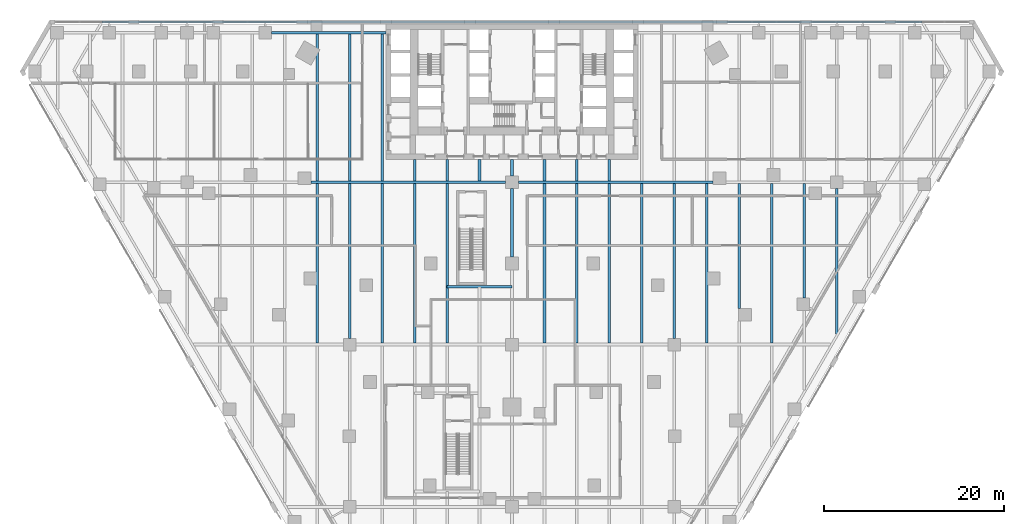
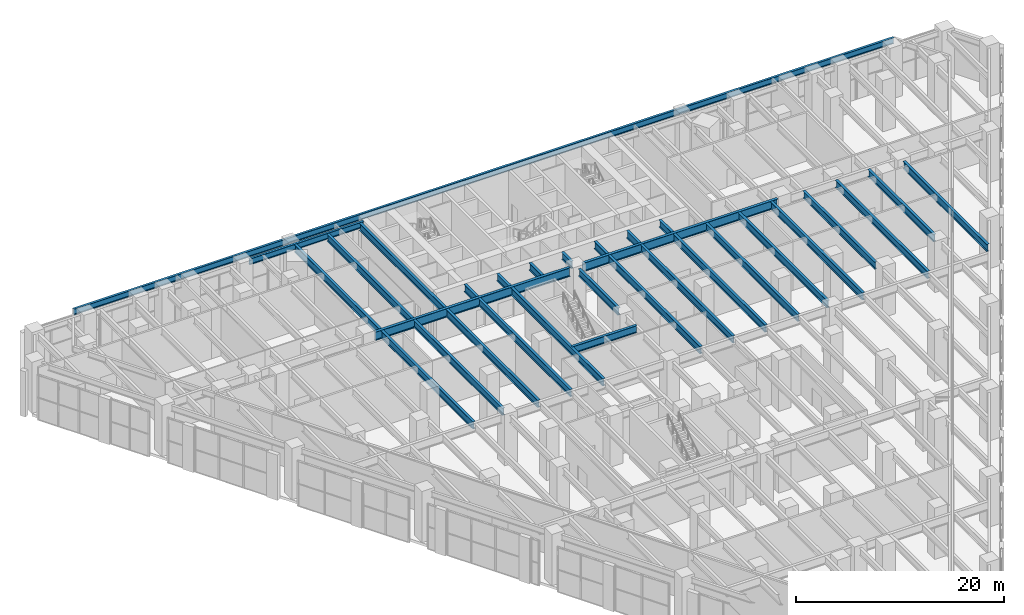
# One storey, part 17 of 37: 31 beams.
"""IFC4 building model written with IfcOpenShell, lengths in metres."""

import ifcopenshell
import ifcopenshell.guid

model = None  # the IFC model being written
_history = None  # IfcOwnerHistory: only IFC2X3 demands one
_inside = {}  # id of a spatial element -> (the spatial element, [elements in it])
_under = {}  # id of a project, library or spatial element -> (it, [spatial elements below it])
_declared = {}  # id of a project -> (the project, [libraries it declares])
_typed = {}  # id of a type object -> (the type object, [elements of that type])
_made_of = {}  # id of a material, layer set ... -> (it, [elements and type objects made of it])


def new_model(schema):
    """Start an empty IFC model of exactly this schema.

    Asked for "IFC4X3", IfcOpenShell would pick the latest addendum, in which some entities
    have other attributes; the version numbers below select the first issue.
    IFC2X3 requires an IfcOwnerHistory on every rooted entity: one is made here for all.
    """
    global model, _history
    if schema == "IFC4X3":
        model = ifcopenshell.file(schema_version=(4, 3, 0, 0))
    else:
        model = ifcopenshell.file(schema=schema)
    _inside.clear()
    _under.clear()
    _declared.clear()
    _typed.clear()
    _made_of.clear()
    _history = None
    if model.schema == "IFC2X3":
        org = make("IfcOrganization", Name="unknown")
        user = make(
            "IfcPersonAndOrganization",
            ThePerson=make("IfcPerson", FamilyName="unknown"),
            TheOrganization=org,
        )
        app = make(
            "IfcApplication",
            ApplicationDeveloper=org,
            Version="unknown",
            ApplicationFullName="unknown",
            ApplicationIdentifier="unknown",
        )
        _history = make(
            "IfcOwnerHistory",
            OwningUser=user,
            OwningApplication=app,
            ChangeAction="ADDED",
            CreationDate=0,
        )
    return model


def make(cls, **values):
    """One entity of the class cls with the attributes given. An attribute that is None is left unset."""
    return model.create_entity(
        cls, **{name: value for name, value in values.items() if value is not None}
    )


def rooted(cls, **values):
    """An entity with a GlobalId (a new one), such as an element, a storey or a relation."""
    return make(cls, GlobalId=ifcopenshell.guid.new(), OwnerHistory=_history, **values)


def si_unit(unit_type, name, prefix=None):
    """IfcSIUnit, for example si_unit("LENGTHUNIT", "METRE", prefix="MILLI")."""
    return make("IfcSIUnit", UnitType=unit_type, Prefix=prefix, Name=name)


def assignment(units):
    """IfcUnitAssignment: the units of a project."""
    return None if units is None else make("IfcUnitAssignment", Units=units)


def point(xyz):
    """IfcCartesianPoint."""
    return None if xyz is None else make("IfcCartesianPoint", Coordinates=xyz)


def direction(xyz):
    """IfcDirection."""
    return None if xyz is None else make("IfcDirection", DirectionRatios=xyz)


def frame(location, z_axis=None, x_axis=None):
    """IfcAxis2Placement3D, a coordinate frame: its origin and axes. An axis left out is left unset."""
    return make(
        "IfcAxis2Placement3D",
        Location=point(location),
        Axis=direction(z_axis),
        RefDirection=direction(x_axis),
    )


def frame_2d(location, x_axis=None):
    """IfcAxis2Placement2D, a coordinate frame in the plane: its origin and x axis."""
    return make(
        "IfcAxis2Placement2D", Location=point(location), RefDirection=direction(x_axis)
    )


def origin():
    """The frame at (0, 0, 0) with its axes left unset."""
    return frame((0.0, 0.0, 0.0))


def origin_2d():
    """The frame at (0, 0) in the plane with its x axis left unset."""
    return frame_2d((0.0, 0.0))


def place(relative_to, where):
    """IfcLocalPlacement: puts the frame where relative to a parent placement (None: the world)."""
    return make(
        "IfcLocalPlacement", PlacementRelTo=relative_to, RelativePlacement=where
    )


def context(
    kind, dimensions, precision=None, world=None, true_north=None, identifier=None
):
    """IfcGeometricRepresentationContext, for example the 3D "Model" context."""
    return make(
        "IfcGeometricRepresentationContext",
        ContextIdentifier=identifier,
        ContextType=kind,
        CoordinateSpaceDimension=dimensions,
        Precision=precision,
        WorldCoordinateSystem=world,
        TrueNorth=true_north,
    )


def subcontext(parent, identifier, kind, view, scale=None):
    """IfcGeometricRepresentationSubContext, for example "Body" below "Model"."""
    return make(
        "IfcGeometricRepresentationSubContext",
        ContextIdentifier=identifier,
        ContextType=kind,
        ParentContext=parent,
        TargetScale=scale,
        TargetView=view,
    )


def project(units=None, contexts=None):
    """IfcProject with its units and contexts."""
    return rooted(
        "IfcProject",
        Name="project",
        RepresentationContexts=contexts,
        UnitsInContext=assignment(units),
    )


def spatial(cls, under=None, at=None, **own):
    """A site, building, storey or space (cls), placed at a placement, below another one or the project."""
    s = rooted(cls, ObjectPlacement=at, **own)
    if under is not None:
        _under.setdefault(under.id(), (under, []))[1].append(s)
    return s


def profile(cls, at=None, kind="AREA", **sizes):
    """A parametric profile (cls). Its sizes go by their IFC names, for example OverallWidth=200.0."""
    return make(cls, ProfileType=kind, Position=at, **sizes)


def i_section(**sizes):
    """IfcIShapeProfileDef."""
    return profile("IfcIShapeProfileDef", **sizes)


def extrude(swept, where, along, depth):
    """IfcExtrudedAreaSolid: the profile swept, set in the frame where, extruded along a direction by depth."""
    return make(
        "IfcExtrudedAreaSolid",
        SweptArea=swept,
        Position=where,
        ExtrudedDirection=direction(along),
        Depth=depth,
    )


def shape(context_of_items, identifier, shape_type, items):
    """IfcShapeRepresentation: the items that make up one representation, for example the "Body"."""
    return make(
        "IfcShapeRepresentation",
        ContextOfItems=context_of_items,
        RepresentationIdentifier=identifier,
        RepresentationType=shape_type,
        Items=items,
    )


def material(Name=None, Category=None):
    """IfcMaterial."""
    return make("IfcMaterial", Name=Name, Category=Category)


def material_profile(
    of_material, cross_section, Name=None, Category=None, Priority=None
):
    """IfcMaterialProfile: a cross section and its material."""
    return make(
        "IfcMaterialProfile",
        Name=Name,
        Material=of_material,
        Profile=cross_section,
        Priority=Priority,
        Category=Category,
    )


def profile_set(profiles, Name=None, composite=None):
    """IfcMaterialProfileSet."""
    return make(
        "IfcMaterialProfileSet",
        Name=Name,
        MaterialProfiles=profiles,
        CompositeProfile=composite,
    )


def made_of(thing, what):
    """Note that an element or type object is made of a material, layer set ...; save() writes the relation."""
    if what is not None:
        _made_of.setdefault(what.id(), (what, []))[1].append(thing)
    return thing


def type_object(cls, material=None, **own):
    """A type object (cls), such as IfcWallType, which elements share."""
    return made_of(rooted(cls, **own), material)


def element(
    cls,
    number,
    at=None,
    inside=None,
    cuts=None,
    type_object=None,
    material=None,
    context=None,
    identifier="Body",
    shape_type=None,
    held_by="IfcProductDefinitionShape",
    body=None,
    shapes=None,
    **own,
):
    """One element of the class cls, such as IfcWall. Its Tag is "e" and its number.

    at: its placement. inside: the storey or other place that contains it. cuts: it is an
    opening in that element (IfcRelVoidsElement). A single representation is given by context,
    identifier, shape_type and body (its items); several are given by shapes. held_by: the class
    of the entity that holds the representations. save() writes the other relations.
    """
    e = rooted(cls, Tag="e%d" % number, ObjectPlacement=at, **own)
    if body is not None:
        shapes = [shape(context, identifier, shape_type, body)]
    if shapes is not None:
        e.Representation = make(held_by, Representations=shapes)
    if inside is not None:
        _inside.setdefault(inside.id(), (inside, []))[1].append(e)
    if cuts is not None:
        rooted(
            "IfcRelVoidsElement", RelatingBuildingElement=cuts, RelatedOpeningElement=e
        )
    if type_object is not None:
        _typed.setdefault(type_object.id(), (type_object, []))[1].append(e)
    return made_of(e, material)


def aggregate(whole, parts):
    """IfcRelAggregates: a whole, such as a stair, and the parts it consists of."""
    return rooted("IfcRelAggregates", RelatingObject=whole, RelatedObjects=parts)


def save(model, path):
    """Write the relations noted so far, then the file.

    IfcRelAggregates (storeys below a building ...), IfcRelContainedInSpatialStructure (elements
    in a storey), IfcRelDefinesByType, IfcRelAssociatesMaterial and IfcRelDeclares: one each for
    every whole, place, type object, material and project.
    """
    for whole, parts in _under.values():
        aggregate(whole, parts)
    for where, things in _inside.values():
        rooted(
            "IfcRelContainedInSpatialStructure",
            RelatedElements=things,
            RelatingStructure=where,
        )
    for kind, things in _typed.values():
        rooted("IfcRelDefinesByType", RelatedObjects=things, RelatingType=kind)
    for what, things in _made_of.values():
        rooted("IfcRelAssociatesMaterial", RelatedObjects=things, RelatingMaterial=what)
    for by, libraries in _declared.values():
        rooted("IfcRelDeclares", RelatingContext=by, RelatedDefinitions=libraries)
    model.write(path)


model = new_model("IFC4")

# Units and contexts
model_context = context("Model", 3, precision=1e-05, world=origin(), true_north=direction((0.0, 1.0)))
body_context = subcontext(model_context, "Body", "Model", "MODEL_VIEW")
ifc_project = project(units=[si_unit("LENGTHUNIT", "METRE"), si_unit("AREAUNIT", "SQUARE_METRE"), si_unit("VOLUMEUNIT", "CUBIC_METRE"), si_unit("PLANEANGLEUNIT", "RADIAN"), si_unit("MASSUNIT", "GRAM", prefix="KILO")], contexts=[model_context])

# Site, building, storey
site_placement = place(None, origin())
site = spatial("IfcSite", under=ifc_project, at=site_placement, CompositionType="ELEMENT")
building_placement = place(site_placement, origin())
building = spatial("IfcBuilding", under=site, at=building_placement, Name="Aloe Facet Convention Tower", CompositionType="ELEMENT")
storey_placement = place(building_placement, frame((0.0, 0.0, 7.5)))
storey = spatial("IfcBuildingStorey", under=building, at=storey_placement, Name="L01", CompositionType="ELEMENT", Elevation=7.5)

# Beams
ifc_material_1 = material(Name="Steel S355", Category="steel")
ifc_material_profile_1 = material_profile(ifc_material_1, i_section(OverallWidth=0.25439453125, OverallDepth=0.6875, WebThickness=0.01318359375, FlangeThickness=0.02099609375, FilletRadius=0.01513671875, at=origin_2d()), Name="UB 686x254x152")
ifc_profile_set_1 = profile_set([ifc_material_profile_1], Name="Steel S355")
beam_type_1 = type_object("IfcBeamType", Name="EV-EB-UB686x254x152", PredefinedType="BEAM", material=ifc_profile_set_1)
beam_1_placement = place(storey_placement, frame((125.493896484375, 134.77490234375, 5.356201171875), z_axis=(-1.0, 0.0, 0.0), x_axis=(0.0, -1.0, 0.0)))
element("IfcBeam", 1, at=beam_1_placement, inside=storey, type_object=beam_type_1, Name="EB-L02-N", PredefinedType="BEAM", context=body_context, shape_type="SweptSolid", body=[
    extrude(i_section(OverallWidth=0.25439453125, OverallDepth=0.6875, WebThickness=0.01318359375, FlangeThickness=0.02099609375, FilletRadius=0.01513671875, at=origin_2d()), origin(), (0.0, 0.0, 1.0), 90.98779296875),
])
ifc_material_2 = material(Name="Steel S355", Category="steel")
ifc_material_profile_2 = material_profile(ifc_material_2, i_section(OverallWidth=0.305419921875, OverallDepth=1.02587890625, WebThickness=0.02001953125, FlangeThickness=0.031005859375, FilletRadius=0.030029296875, at=origin_2d()), Name="UB 1016x305x349")
ifc_profile_set_2 = profile_set([ifc_material_profile_2], Name="Steel S355")
beam_type_2 = type_object("IfcBeamType", Name="SF-B-UB1016x305x349", PredefinedType="BEAM", material=ifc_profile_set_2)
for number, where, z_axis, x_axis, name in (
    (2, (57.68408203125, 117.0, 5.18701171875), (1.0, 0.0, 0.0), (0.0, 1.0, 0.0), "Floor beam FB-L02-035"),
    (3, (80.699951171875, 117.0, 5.18701171875), (1.0, 0.0, 0.0), (0.0, 1.0, 0.0), "Floor beam FB-L02-044"),
):
    element("IfcBeam", number, at=place(storey_placement, frame(where, z_axis=z_axis, x_axis=x_axis)), inside=storey, type_object=beam_type_2, Name=name, PredefinedType="BEAM", context=body_context, shape_type="SweptSolid", body=[
        extrude(i_section(OverallWidth=0.305419921875, OverallDepth=1.02587890625, WebThickness=0.02001953125, FlangeThickness=0.031005859375, FilletRadius=0.030029296875, at=origin_2d()), origin(), (0.0, 0.0, 1.0), 21.615966796875),
    ])
ifc_material_3 = material(Name="Steel S355", Category="steel")
ifc_material_profile_3 = material_profile(ifc_material_3, i_section(OverallWidth=0.25439453125, OverallDepth=0.6875, WebThickness=0.01318359375, FlangeThickness=0.02099609375, FilletRadius=0.01513671875, at=origin_2d()), Name="UB 686x254x152")
ifc_profile_set_3 = profile_set([ifc_material_profile_3], Name="Steel S355")
beam_type_3 = type_object("IfcBeamType", Name="SF-B-UB686x254x152", PredefinedType="BEAM", material=ifc_profile_set_3)
beam_2_placement = place(storey_placement, frame((53.3349609375, 133.60009765625, 5.356201171875), z_axis=(1.0, 0.0, 0.0), x_axis=(0.0, 1.0, 0.0)))
element("IfcBeam", 4, at=beam_2_placement, inside=storey, type_object=beam_type_3, Name="Floor beam FB-L02-010", PredefinedType="BEAM", context=body_context, shape_type="SweptSolid", body=[
    extrude(i_section(OverallWidth=0.25439453125, OverallDepth=0.6875, WebThickness=0.01318359375, FlangeThickness=0.02099609375, FilletRadius=0.01513671875, at=origin_2d()), origin(), (0.0, 0.0, 1.0), 12.6650390625),
])
ifc_material_4 = material(Name="Steel S355", Category="steel")
ifc_material_profile_4 = material_profile(ifc_material_4, i_section(OverallWidth=0.293701171875, OverallDepth=0.850830078125, WebThickness=0.01611328125, FlangeThickness=0.02685546875, FilletRadius=0.017822265625, at=origin_2d()), Name="UB 838x292x226")
ifc_profile_set_4 = profile_set([ifc_material_profile_4], Name="Steel S355")
beam_type_4 = type_object("IfcBeamType", Name="SF-B-UB838x292x226", PredefinedType="BEAM", material=ifc_profile_set_4)
beam_3_placement = place(storey_placement, frame((58.39990234375, 99.152587890625, 5.2744140625), z_axis=(0.0, 1.0, 0.0), x_axis=(-1.0, 0.0, 0.0)))
element("IfcBeam", 5, at=beam_3_placement, inside=storey, type_object=beam_type_4, Name="Floor beam FB-L02-075", PredefinedType="BEAM", context=body_context, shape_type="SweptSolid", body=[
    extrude(i_section(OverallWidth=0.293701171875, OverallDepth=0.850830078125, WebThickness=0.01611328125, FlangeThickness=0.02685546875, FilletRadius=0.017822265625, at=origin_2d()), origin(), (0.0, 0.0, 1.0), 17.69482421875),
])
beam_4_placement = place(storey_placement, frame((58.39990234375, 117.152587890625, 5.2744140625), z_axis=(0.0, 1.0, 0.0), x_axis=(-1.0, 0.0, 0.0)))
element("IfcBeam", 6, at=beam_4_placement, inside=storey, type_object=beam_type_4, Name="Floor beam FB-L02-076", PredefinedType="BEAM", context=body_context, shape_type="SweptSolid", body=[
    extrude(i_section(OverallWidth=0.293701171875, OverallDepth=0.850830078125, WebThickness=0.01611328125, FlangeThickness=0.02685546875, FilletRadius=0.017822265625, at=origin_2d()), origin(), (0.0, 0.0, 1.0), 16.31005859375),
])
beam_5_placement = place(storey_placement, frame((62.0, 99.699951171875, 5.2744140625), z_axis=(0.0, 1.0, 0.0), x_axis=(-1.0, 0.0, 0.0)))
element("IfcBeam", 7, at=beam_5_placement, inside=storey, type_object=beam_type_4, Name="Floor beam FB-L02-081", PredefinedType="BEAM", context=body_context, shape_type="SweptSolid", body=[
    extrude(i_section(OverallWidth=0.293701171875, OverallDepth=0.850830078125, WebThickness=0.01611328125, FlangeThickness=0.02685546875, FilletRadius=0.017822265625, at=origin_2d()), origin(), (0.0, 0.0, 1.0), 17.1474609375),
])
beam_6_placement = place(storey_placement, frame((62.0, 117.152587890625, 5.2744140625), z_axis=(0.0, 1.0, 0.0), x_axis=(-1.0, 0.0, 0.0)))
element("IfcBeam", 8, at=beam_6_placement, inside=storey, type_object=beam_type_4, Name="Floor beam FB-L02-082", PredefinedType="BEAM", context=body_context, shape_type="SweptSolid", body=[
    extrude(i_section(OverallWidth=0.293701171875, OverallDepth=0.850830078125, WebThickness=0.01611328125, FlangeThickness=0.02685546875, FilletRadius=0.017822265625, at=origin_2d()), origin(), (0.0, 0.0, 1.0), 16.31005859375),
])
beam_7_placement = place(storey_placement, frame((65.60009765625, 99.152587890625, 5.2744140625), z_axis=(0.0, 1.0, 0.0), x_axis=(-1.0, 0.0, 0.0)))
element("IfcBeam", 9, at=beam_7_placement, inside=storey, type_object=beam_type_4, Name="Floor beam FB-L02-085", PredefinedType="BEAM", context=body_context, shape_type="SweptSolid", body=[
    extrude(i_section(OverallWidth=0.293701171875, OverallDepth=0.850830078125, WebThickness=0.01611328125, FlangeThickness=0.02685546875, FilletRadius=0.017822265625, at=origin_2d()), origin(), (0.0, 0.0, 1.0), 17.69482421875),
])
beam_8_placement = place(storey_placement, frame((65.60009765625, 117.152587890625, 5.2744140625), z_axis=(0.0, 1.0, 0.0), x_axis=(-1.0, 0.0, 0.0)))
element("IfcBeam", 10, at=beam_8_placement, inside=storey, type_object=beam_type_4, Name="Floor beam FB-L02-086", PredefinedType="BEAM", context=body_context, shape_type="SweptSolid", body=[
    extrude(i_section(OverallWidth=0.293701171875, OverallDepth=0.850830078125, WebThickness=0.01611328125, FlangeThickness=0.02685546875, FilletRadius=0.017822265625, at=origin_2d()), origin(), (0.0, 0.0, 1.0), 16.31005859375),
])
beam_9_placement = place(storey_placement, frame((69.199951171875, 99.152587890625, 5.2744140625), z_axis=(0.0, 1.0, 0.0), x_axis=(-1.0, 0.0, 0.0)))
element("IfcBeam", 11, at=beam_9_placement, inside=storey, type_object=beam_type_4, Name="Floor beam FB-L02-093", PredefinedType="BEAM", context=body_context, shape_type="SweptSolid", body=[
    extrude(i_section(OverallWidth=0.293701171875, OverallDepth=0.850830078125, WebThickness=0.01611328125, FlangeThickness=0.02685546875, FilletRadius=0.017822265625, at=origin_2d()), origin(), (0.0, 0.0, 1.0), 17.69482421875),
])
beam_10_placement = place(storey_placement, frame((69.199951171875, 117.152587890625, 5.2744140625), z_axis=(0.0, 1.0, 0.0), x_axis=(-1.0, 0.0, 0.0)))
element("IfcBeam", 12, at=beam_10_placement, inside=storey, type_object=beam_type_4, Name="Floor beam FB-L02-094", PredefinedType="BEAM", context=body_context, shape_type="SweptSolid", body=[
    extrude(i_section(OverallWidth=0.293701171875, OverallDepth=0.850830078125, WebThickness=0.01611328125, FlangeThickness=0.02685546875, FilletRadius=0.017822265625, at=origin_2d()), origin(), (0.0, 0.0, 1.0), 2.3974609375),
])
beam_11_placement = place(storey_placement, frame((72.800048828125, 99.152587890625, 5.2744140625), z_axis=(0.0, 1.0, 0.0), x_axis=(-1.0, 0.0, 0.0)))
element("IfcBeam", 13, at=beam_11_placement, inside=storey, type_object=beam_type_4, Name="Floor beam FB-L02-099", PredefinedType="BEAM", context=body_context, shape_type="SweptSolid", body=[
    extrude(i_section(OverallWidth=0.293701171875, OverallDepth=0.850830078125, WebThickness=0.01611328125, FlangeThickness=0.02685546875, FilletRadius=0.017822265625, at=origin_2d()), origin(), (0.0, 0.0, 1.0), 17.69482421875),
])
beam_12_placement = place(storey_placement, frame((72.800048828125, 105.39990234375, 5.2744140625), z_axis=(1.0, 0.0, 0.0), x_axis=(0.0, 1.0, 0.0)))
element("IfcBeam", 14, at=beam_12_placement, inside=storey, type_object=beam_type_4, Name="Floor beam FB-L02-100", PredefinedType="BEAM", context=body_context, shape_type="SweptSolid", body=[
    extrude(i_section(OverallWidth=0.293701171875, OverallDepth=0.850830078125, WebThickness=0.01611328125, FlangeThickness=0.02685546875, FilletRadius=0.017822265625, at=origin_2d()), origin(), (0.0, 0.0, 1.0), 7.199951171875),
])
for number, where, z_axis, x_axis, name in (
    (15, (72.800048828125, 117.152587890625, 5.2744140625), (0.0, 1.0, 0.0), (-1.0, 0.0, 0.0), "Floor beam FB-L02-101"),
    (16, (76.39990234375, 117.152587890625, 5.2744140625), (0.0, 1.0, 0.0), (-1.0, 0.0, 0.0), "Floor beam FB-L02-107"),
):
    element("IfcBeam", number, at=place(storey_placement, frame(where, z_axis=z_axis, x_axis=x_axis)), inside=storey, type_object=beam_type_4, Name=name, PredefinedType="BEAM", context=body_context, shape_type="SweptSolid", body=[
        extrude(i_section(OverallWidth=0.293701171875, OverallDepth=0.850830078125, WebThickness=0.01611328125, FlangeThickness=0.02685546875, FilletRadius=0.017822265625, at=origin_2d()), origin(), (0.0, 0.0, 1.0), 2.3974609375),
    ])
beam_13_placement = place(storey_placement, frame((80.0, 108.699951171875, 5.2744140625), z_axis=(0.0, 1.0, 0.0), x_axis=(-1.0, 0.0, 0.0)))
element("IfcBeam", 17, at=beam_13_placement, inside=storey, type_object=beam_type_4, Name="Floor beam FB-L02-113", PredefinedType="BEAM", context=body_context, shape_type="SweptSolid", body=[
    extrude(i_section(OverallWidth=0.293701171875, OverallDepth=0.850830078125, WebThickness=0.01611328125, FlangeThickness=0.02685546875, FilletRadius=0.017822265625, at=origin_2d()), origin(), (0.0, 0.0, 1.0), 7.60009765625),
])
beam_14_placement = place(storey_placement, frame((80.0, 117.699951171875, 5.2744140625), z_axis=(0.0, 1.0, 0.0), x_axis=(-1.0, 0.0, 0.0)))
element("IfcBeam", 18, at=beam_14_placement, inside=storey, type_object=beam_type_4, Name="Floor beam FB-L02-114", PredefinedType="BEAM", context=body_context, shape_type="SweptSolid", body=[
    extrude(i_section(OverallWidth=0.293701171875, OverallDepth=0.850830078125, WebThickness=0.01611328125, FlangeThickness=0.02685546875, FilletRadius=0.017822265625, at=origin_2d()), origin(), (0.0, 0.0, 1.0), 1.85009765625),
])
beam_15_placement = place(storey_placement, frame((83.60009765625, 99.152587890625, 5.2744140625), z_axis=(0.0, 1.0, 0.0), x_axis=(-1.0, 0.0, 0.0)))
element("IfcBeam", 19, at=beam_15_placement, inside=storey, type_object=beam_type_4, Name="Floor beam FB-L02-119", PredefinedType="BEAM", context=body_context, shape_type="SweptSolid", body=[
    extrude(i_section(OverallWidth=0.293701171875, OverallDepth=0.850830078125, WebThickness=0.01611328125, FlangeThickness=0.02685546875, FilletRadius=0.017822265625, at=origin_2d()), origin(), (0.0, 0.0, 1.0), 17.69482421875),
])
beam_16_placement = place(storey_placement, frame((83.60009765625, 117.152587890625, 5.2744140625), z_axis=(0.0, 1.0, 0.0), x_axis=(-1.0, 0.0, 0.0)))
element("IfcBeam", 20, at=beam_16_placement, inside=storey, type_object=beam_type_4, Name="Floor beam FB-L02-120", PredefinedType="BEAM", context=body_context, shape_type="SweptSolid", body=[
    extrude(i_section(OverallWidth=0.293701171875, OverallDepth=0.850830078125, WebThickness=0.01611328125, FlangeThickness=0.02685546875, FilletRadius=0.017822265625, at=origin_2d()), origin(), (0.0, 0.0, 1.0), 2.3974609375),
])
beam_17_placement = place(storey_placement, frame((87.199951171875, 99.152587890625, 5.2744140625), z_axis=(0.0, 1.0, 0.0), x_axis=(-1.0, 0.0, 0.0)))
element("IfcBeam", 21, at=beam_17_placement, inside=storey, type_object=beam_type_4, Name="Floor beam FB-L02-124", PredefinedType="BEAM", context=body_context, shape_type="SweptSolid", body=[
    extrude(i_section(OverallWidth=0.293701171875, OverallDepth=0.850830078125, WebThickness=0.01611328125, FlangeThickness=0.02685546875, FilletRadius=0.017822265625, at=origin_2d()), origin(), (0.0, 0.0, 1.0), 17.69482421875),
])
beam_18_placement = place(storey_placement, frame((87.199951171875, 117.152587890625, 5.2744140625), z_axis=(0.0, 1.0, 0.0), x_axis=(-1.0, 0.0, 0.0)))
element("IfcBeam", 22, at=beam_18_placement, inside=storey, type_object=beam_type_4, Name="Floor beam FB-L02-125", PredefinedType="BEAM", context=body_context, shape_type="SweptSolid", body=[
    extrude(i_section(OverallWidth=0.293701171875, OverallDepth=0.850830078125, WebThickness=0.01611328125, FlangeThickness=0.02685546875, FilletRadius=0.017822265625, at=origin_2d()), origin(), (0.0, 0.0, 1.0), 2.3974609375),
])
beam_19_placement = place(storey_placement, frame((90.800048828125, 99.152587890625, 5.2744140625), z_axis=(0.0, 1.0, 0.0), x_axis=(-1.0, 0.0, 0.0)))
element("IfcBeam", 23, at=beam_19_placement, inside=storey, type_object=beam_type_4, Name="Floor beam FB-L02-130", PredefinedType="BEAM", context=body_context, shape_type="SweptSolid", body=[
    extrude(i_section(OverallWidth=0.293701171875, OverallDepth=0.850830078125, WebThickness=0.01611328125, FlangeThickness=0.02685546875, FilletRadius=0.017822265625, at=origin_2d()), origin(), (0.0, 0.0, 1.0), 17.69482421875),
])
beam_20_placement = place(storey_placement, frame((90.800048828125, 117.152587890625, 5.2744140625), z_axis=(0.0, 1.0, 0.0), x_axis=(-1.0, 0.0, 0.0)))
element("IfcBeam", 24, at=beam_20_placement, inside=storey, type_object=beam_type_4, Name="Floor beam FB-L02-131", PredefinedType="BEAM", context=body_context, shape_type="SweptSolid", body=[
    extrude(i_section(OverallWidth=0.293701171875, OverallDepth=0.850830078125, WebThickness=0.01611328125, FlangeThickness=0.02685546875, FilletRadius=0.017822265625, at=origin_2d()), origin(), (0.0, 0.0, 1.0), 2.3974609375),
])
beam_21_placement = place(storey_placement, frame((94.39990234375, 99.152587890625, 5.2744140625), z_axis=(0.0, 1.0, 0.0), x_axis=(-1.0, 0.0, 0.0)))
element("IfcBeam", 25, at=beam_21_placement, inside=storey, type_object=beam_type_4, Name="Floor beam FB-L02-134", PredefinedType="BEAM", context=body_context, shape_type="SweptSolid", body=[
    extrude(i_section(OverallWidth=0.293701171875, OverallDepth=0.850830078125, WebThickness=0.01611328125, FlangeThickness=0.02685546875, FilletRadius=0.017822265625, at=origin_2d()), origin(), (0.0, 0.0, 1.0), 17.69482421875),
])
beam_22_placement = place(storey_placement, frame((98.0, 99.699951171875, 5.2744140625), z_axis=(0.0, 1.0, 0.0), x_axis=(-1.0, 0.0, 0.0)))
element("IfcBeam", 26, at=beam_22_placement, inside=storey, type_object=beam_type_4, Name="Floor beam FB-L02-140", PredefinedType="BEAM", context=body_context, shape_type="SweptSolid", body=[
    extrude(i_section(OverallWidth=0.293701171875, OverallDepth=0.850830078125, WebThickness=0.01611328125, FlangeThickness=0.02685546875, FilletRadius=0.017822265625, at=origin_2d()), origin(), (0.0, 0.0, 1.0), 17.1474609375),
])
beam_23_placement = place(storey_placement, frame((101.60009765625, 99.152587890625, 5.2744140625), z_axis=(0.0, 1.0, 0.0), x_axis=(-1.0, 0.0, 0.0)))
element("IfcBeam", 27, at=beam_23_placement, inside=storey, type_object=beam_type_4, Name="Floor beam FB-L02-144", PredefinedType="BEAM", context=body_context, shape_type="SweptSolid", body=[
    extrude(i_section(OverallWidth=0.293701171875, OverallDepth=0.850830078125, WebThickness=0.01611328125, FlangeThickness=0.02685546875, FilletRadius=0.017822265625, at=origin_2d()), origin(), (0.0, 0.0, 1.0), 17.69482421875),
])
beam_24_placement = place(storey_placement, frame((105.199951171875, 103.02490234375, 5.2744140625), z_axis=(0.0, 1.0, 0.0), x_axis=(-1.0, 0.0, 0.0)))
element("IfcBeam", 28, at=beam_24_placement, inside=storey, type_object=beam_type_4, Name="Floor beam FB-L02-149", PredefinedType="BEAM", context=body_context, shape_type="SweptSolid", body=[
    extrude(i_section(OverallWidth=0.293701171875, OverallDepth=0.850830078125, WebThickness=0.01611328125, FlangeThickness=0.02685546875, FilletRadius=0.017822265625, at=origin_2d()), origin(), (0.0, 0.0, 1.0), 13.822509765625),
])
beam_25_placement = place(storey_placement, frame((108.800048828125, 99.152587890625, 5.2744140625), z_axis=(0.0, 1.0, 0.0), x_axis=(-1.0, 0.0, 0.0)))
element("IfcBeam", 29, at=beam_25_placement, inside=storey, type_object=beam_type_4, Name="Floor beam FB-L02-153", PredefinedType="BEAM", context=body_context, shape_type="SweptSolid", body=[
    extrude(i_section(OverallWidth=0.293701171875, OverallDepth=0.850830078125, WebThickness=0.01611328125, FlangeThickness=0.02685546875, FilletRadius=0.017822265625, at=origin_2d()), origin(), (0.0, 0.0, 1.0), 17.69482421875),
])
beam_26_placement = place(storey_placement, frame((112.39990234375, 104.18505859375, 5.2744140625), z_axis=(0.0, 1.0, 0.0), x_axis=(-1.0, 0.0, 0.0)))
element("IfcBeam", 30, at=beam_26_placement, inside=storey, type_object=beam_type_4, Name="Floor beam FB-L02-157", PredefinedType="BEAM", context=body_context, shape_type="SweptSolid", body=[
    extrude(i_section(OverallWidth=0.293701171875, OverallDepth=0.850830078125, WebThickness=0.01611328125, FlangeThickness=0.02685546875, FilletRadius=0.017822265625, at=origin_2d()), origin(), (0.0, 0.0, 1.0), 12.662353515625),
])
beam_27_placement = place(storey_placement, frame((116.0, 100.18896484375, 5.2744140625), z_axis=(0.0, 1.0, 0.0), x_axis=(-1.0, 0.0, 0.0)))
element("IfcBeam", 31, at=beam_27_placement, inside=storey, type_object=beam_type_4, Name="Floor beam FB-L02-159", PredefinedType="BEAM", context=body_context, shape_type="SweptSolid", body=[
    extrude(i_section(OverallWidth=0.293701171875, OverallDepth=0.850830078125, WebThickness=0.01611328125, FlangeThickness=0.02685546875, FilletRadius=0.017822265625, at=origin_2d()), origin(), (0.0, 0.0, 1.0), 16.111083984375),
])

save(model, "model.ifc")
